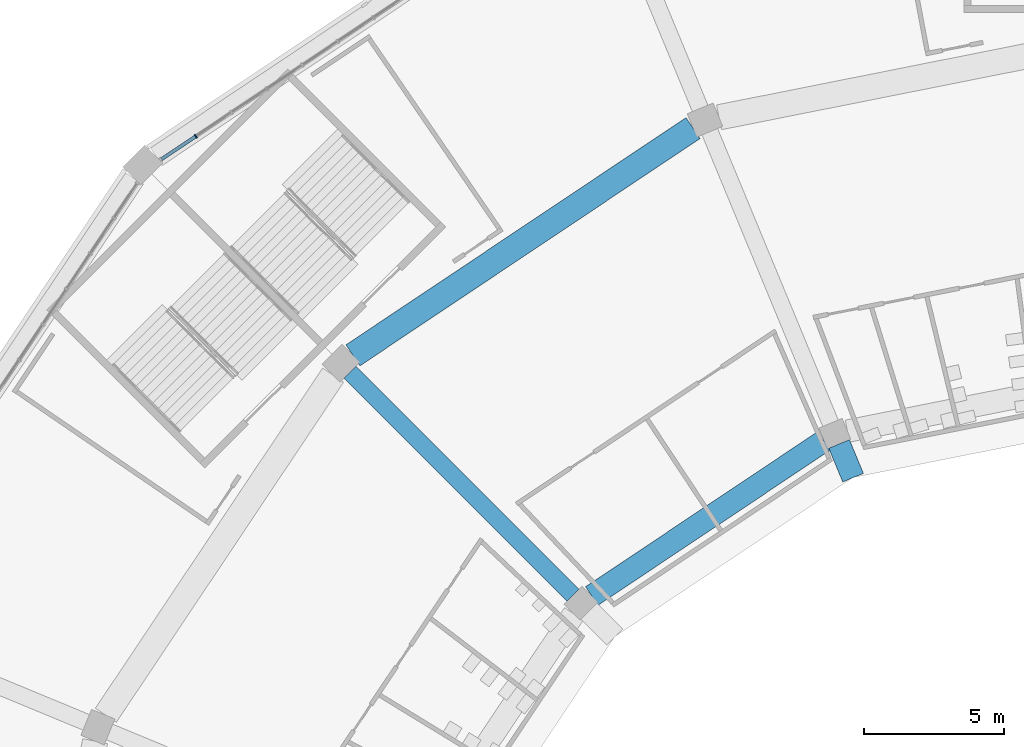
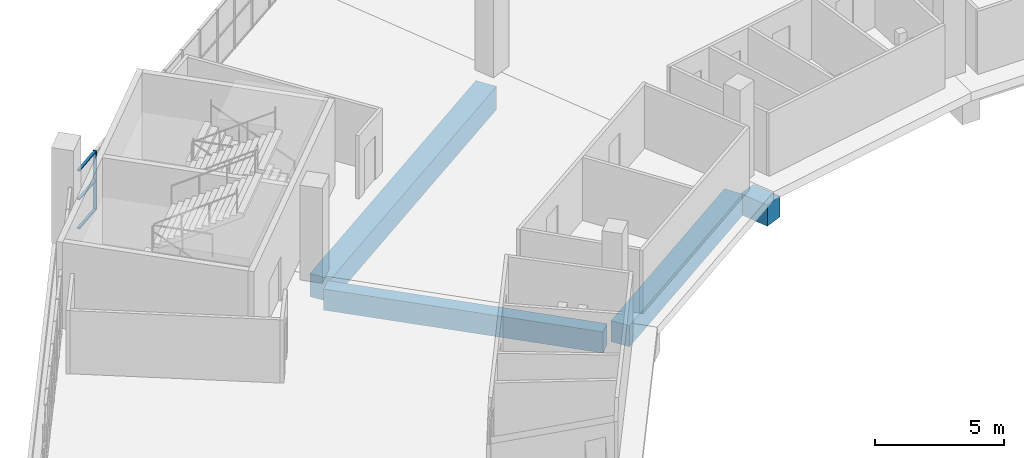
# One storey, part 40 of 199: 4 beams, 4 members, 1 element without a shape of its own.
"""IFC4 building model written with IfcOpenShell, lengths in metres."""

import ifcopenshell
import ifcopenshell.guid

model = None  # the IFC model being written
_history = None  # IfcOwnerHistory: only IFC2X3 demands one
_inside = {}  # id of a spatial element -> (the spatial element, [elements in it])
_under = {}  # id of a project, library or spatial element -> (it, [spatial elements below it])
_declared = {}  # id of a project -> (the project, [libraries it declares])
_typed = {}  # id of a type object -> (the type object, [elements of that type])
_made_of = {}  # id of a material, layer set ... -> (it, [elements and type objects made of it])


def new_model(schema):
    """Start an empty IFC model of exactly this schema.

    Asked for "IFC4X3", IfcOpenShell would pick the latest addendum, in which some entities
    have other attributes; the version numbers below select the first issue.
    IFC2X3 requires an IfcOwnerHistory on every rooted entity: one is made here for all.
    """
    global model, _history
    if schema == "IFC4X3":
        model = ifcopenshell.file(schema_version=(4, 3, 0, 0))
    else:
        model = ifcopenshell.file(schema=schema)
    _inside.clear()
    _under.clear()
    _declared.clear()
    _typed.clear()
    _made_of.clear()
    _history = None
    if model.schema == "IFC2X3":
        org = make("IfcOrganization", Name="unknown")
        user = make(
            "IfcPersonAndOrganization",
            ThePerson=make("IfcPerson", FamilyName="unknown"),
            TheOrganization=org,
        )
        app = make(
            "IfcApplication",
            ApplicationDeveloper=org,
            Version="unknown",
            ApplicationFullName="unknown",
            ApplicationIdentifier="unknown",
        )
        _history = make(
            "IfcOwnerHistory",
            OwningUser=user,
            OwningApplication=app,
            ChangeAction="ADDED",
            CreationDate=0,
        )
    return model


def make(cls, **values):
    """One entity of the class cls with the attributes given. An attribute that is None is left unset."""
    return model.create_entity(
        cls, **{name: value for name, value in values.items() if value is not None}
    )


def rooted(cls, **values):
    """An entity with a GlobalId (a new one), such as an element, a storey or a relation."""
    return make(cls, GlobalId=ifcopenshell.guid.new(), OwnerHistory=_history, **values)


def si_unit(unit_type, name, prefix=None):
    """IfcSIUnit, for example si_unit("LENGTHUNIT", "METRE", prefix="MILLI")."""
    return make("IfcSIUnit", UnitType=unit_type, Prefix=prefix, Name=name)


def assignment(units):
    """IfcUnitAssignment: the units of a project."""
    return None if units is None else make("IfcUnitAssignment", Units=units)


def point(xyz):
    """IfcCartesianPoint."""
    return None if xyz is None else make("IfcCartesianPoint", Coordinates=xyz)


def direction(xyz):
    """IfcDirection."""
    return None if xyz is None else make("IfcDirection", DirectionRatios=xyz)


def frame(location, z_axis=None, x_axis=None):
    """IfcAxis2Placement3D, a coordinate frame: its origin and axes. An axis left out is left unset."""
    return make(
        "IfcAxis2Placement3D",
        Location=point(location),
        Axis=direction(z_axis),
        RefDirection=direction(x_axis),
    )


def frame_2d(location, x_axis=None):
    """IfcAxis2Placement2D, a coordinate frame in the plane: its origin and x axis."""
    return make(
        "IfcAxis2Placement2D", Location=point(location), RefDirection=direction(x_axis)
    )


def origin():
    """The frame at (0, 0, 0) with its axes left unset."""
    return frame((0.0, 0.0, 0.0))


def origin_2d():
    """The frame at (0, 0) in the plane with its x axis left unset."""
    return frame_2d((0.0, 0.0))


def place(relative_to, where):
    """IfcLocalPlacement: puts the frame where relative to a parent placement (None: the world)."""
    return make(
        "IfcLocalPlacement", PlacementRelTo=relative_to, RelativePlacement=where
    )


def context(
    kind, dimensions, precision=None, world=None, true_north=None, identifier=None
):
    """IfcGeometricRepresentationContext, for example the 3D "Model" context."""
    return make(
        "IfcGeometricRepresentationContext",
        ContextIdentifier=identifier,
        ContextType=kind,
        CoordinateSpaceDimension=dimensions,
        Precision=precision,
        WorldCoordinateSystem=world,
        TrueNorth=true_north,
    )


def subcontext(parent, identifier, kind, view, scale=None):
    """IfcGeometricRepresentationSubContext, for example "Body" below "Model"."""
    return make(
        "IfcGeometricRepresentationSubContext",
        ContextIdentifier=identifier,
        ContextType=kind,
        ParentContext=parent,
        TargetScale=scale,
        TargetView=view,
    )


def project(units=None, contexts=None):
    """IfcProject with its units and contexts."""
    return rooted(
        "IfcProject",
        Name="project",
        RepresentationContexts=contexts,
        UnitsInContext=assignment(units),
    )


def spatial(cls, under=None, at=None, **own):
    """A site, building, storey or space (cls), placed at a placement, below another one or the project."""
    s = rooted(cls, ObjectPlacement=at, **own)
    if under is not None:
        _under.setdefault(under.id(), (under, []))[1].append(s)
    return s


def profile(cls, at=None, kind="AREA", **sizes):
    """A parametric profile (cls). Its sizes go by their IFC names, for example OverallWidth=200.0."""
    return make(cls, ProfileType=kind, Position=at, **sizes)


def rectangle(**sizes):
    """IfcRectangleProfileDef."""
    return profile("IfcRectangleProfileDef", **sizes)


def extrude(swept, where, along, depth):
    """IfcExtrudedAreaSolid: the profile swept, set in the frame where, extruded along a direction by depth."""
    return make(
        "IfcExtrudedAreaSolid",
        SweptArea=swept,
        Position=where,
        ExtrudedDirection=direction(along),
        Depth=depth,
    )


def shape(context_of_items, identifier, shape_type, items):
    """IfcShapeRepresentation: the items that make up one representation, for example the "Body"."""
    return make(
        "IfcShapeRepresentation",
        ContextOfItems=context_of_items,
        RepresentationIdentifier=identifier,
        RepresentationType=shape_type,
        Items=items,
    )


def material(Name=None, Category=None):
    """IfcMaterial."""
    return make("IfcMaterial", Name=Name, Category=Category)


def material_profile(
    of_material, cross_section, Name=None, Category=None, Priority=None
):
    """IfcMaterialProfile: a cross section and its material."""
    return make(
        "IfcMaterialProfile",
        Name=Name,
        Material=of_material,
        Profile=cross_section,
        Priority=Priority,
        Category=Category,
    )


def profile_set(profiles, Name=None, composite=None):
    """IfcMaterialProfileSet."""
    return make(
        "IfcMaterialProfileSet",
        Name=Name,
        MaterialProfiles=profiles,
        CompositeProfile=composite,
    )


def made_of(thing, what):
    """Note that an element or type object is made of a material, layer set ...; save() writes the relation."""
    if what is not None:
        _made_of.setdefault(what.id(), (what, []))[1].append(thing)
    return thing


def type_object(cls, material=None, **own):
    """A type object (cls), such as IfcWallType, which elements share."""
    return made_of(rooted(cls, **own), material)


def element(
    cls,
    number,
    at=None,
    inside=None,
    cuts=None,
    type_object=None,
    material=None,
    context=None,
    identifier="Body",
    shape_type=None,
    held_by="IfcProductDefinitionShape",
    body=None,
    shapes=None,
    **own,
):
    """One element of the class cls, such as IfcWall. Its Tag is "e" and its number.

    at: its placement. inside: the storey or other place that contains it. cuts: it is an
    opening in that element (IfcRelVoidsElement). A single representation is given by context,
    identifier, shape_type and body (its items); several are given by shapes. held_by: the class
    of the entity that holds the representations. save() writes the other relations.
    """
    e = rooted(cls, Tag="e%d" % number, ObjectPlacement=at, **own)
    if body is not None:
        shapes = [shape(context, identifier, shape_type, body)]
    if shapes is not None:
        e.Representation = make(held_by, Representations=shapes)
    if inside is not None:
        _inside.setdefault(inside.id(), (inside, []))[1].append(e)
    if cuts is not None:
        rooted(
            "IfcRelVoidsElement", RelatingBuildingElement=cuts, RelatedOpeningElement=e
        )
    if type_object is not None:
        _typed.setdefault(type_object.id(), (type_object, []))[1].append(e)
    return made_of(e, material)


def aggregate(whole, parts):
    """IfcRelAggregates: a whole, such as a stair, and the parts it consists of."""
    return rooted("IfcRelAggregates", RelatingObject=whole, RelatedObjects=parts)


def save(model, path):
    """Write the relations noted so far, then the file.

    IfcRelAggregates (storeys below a building ...), IfcRelContainedInSpatialStructure (elements
    in a storey), IfcRelDefinesByType, IfcRelAssociatesMaterial and IfcRelDeclares: one each for
    every whole, place, type object, material and project.
    """
    for whole, parts in _under.values():
        aggregate(whole, parts)
    for where, things in _inside.values():
        rooted(
            "IfcRelContainedInSpatialStructure",
            RelatedElements=things,
            RelatingStructure=where,
        )
    for kind, things in _typed.values():
        rooted("IfcRelDefinesByType", RelatedObjects=things, RelatingType=kind)
    for what, things in _made_of.values():
        rooted("IfcRelAssociatesMaterial", RelatedObjects=things, RelatingMaterial=what)
    for by, libraries in _declared.values():
        rooted("IfcRelDeclares", RelatingContext=by, RelatedDefinitions=libraries)
    model.write(path)


model = new_model("IFC4")

# Units and contexts
model_context = context("Model", 3, precision=1e-05, world=origin(), true_north=direction((0.0, 1.0)))
body_context = subcontext(model_context, "Body", "Model", "MODEL_VIEW")
ifc_project = project(units=[si_unit("LENGTHUNIT", "METRE"), si_unit("AREAUNIT", "SQUARE_METRE"), si_unit("VOLUMEUNIT", "CUBIC_METRE"), si_unit("PLANEANGLEUNIT", "RADIAN"), si_unit("MASSUNIT", "GRAM", prefix="KILO")], contexts=[model_context])

# Site, building, storey
site_placement = place(None, origin())
site = spatial("IfcSite", under=ifc_project, at=site_placement, CompositionType="ELEMENT")
building_placement = place(site_placement, origin())
building = spatial("IfcBuilding", under=site, at=building_placement, Name="Ogive Plaza Stadium", CompositionType="ELEMENT")
storey_placement = place(building_placement, frame((0.0, 0.0, 4.5)))
storey = spatial("IfcBuildingStorey", under=building, at=storey_placement, Name="L01", CompositionType="ELEMENT", Elevation=4.5)

# Curtain wall, members
ifc_material_1 = material(Name="Bronze-anodised aluminium with laminated glass", Category="aluminium")
curtain_wall_type = type_object("IfcCurtainWallType", Name="Lancet curtain wall", PredefinedType="NOTDEFINED", material=ifc_material_1)
curtain_wall_placement = place(storey_placement, origin())
curtain_wall = element("IfcCurtainWall", 1, at=curtain_wall_placement, inside=storey, type_object=curtain_wall_type, Name="CURTAIN WALL B30 L01", PredefinedType="NOTDEFINED")
ifc_material_2 = material(Name="Bronze-anodised aluminium", Category="aluminium")
ifc_material_profile_1 = material_profile(ifc_material_2, rectangle(XDim=0.14990234375, YDim=0.050048828125, at=origin_2d()), Name="AL 150x50")
ifc_profile_set_1 = profile_set([ifc_material_profile_1], Name="Bronze-anodised aluminium")
member_type_1 = type_object("IfcMemberType", Name="Curtain wall mullion 50x150", PredefinedType="MULLION", material=ifc_profile_set_1)
member_1_placement = place(storey_placement, frame((-67.462646484375, 88.879638671875, 0.0), z_axis=(0.0, 0.0, 1.0), x_axis=(-0.55557023302, 0.831469612303, 0.0)))
member_1 = element("IfcMember", 2, at=member_1_placement, type_object=member_type_1, Name="CW-B30-L01 mullion 2", PredefinedType="MULLION", context=body_context, shape_type="SweptSolid", body=[
    extrude(rectangle(XDim=0.14990234375, YDim=0.050048828125, at=origin_2d()), origin(), (0.0, 0.0, 1.0), 2.7900390625),
])
ifc_material_3 = material(Name="Bronze-anodised aluminium", Category="aluminium")
ifc_material_profile_2 = material_profile(ifc_material_3, rectangle(XDim=0.1201171875, YDim=0.050048828125, at=origin_2d()), Name="AL 120x50")
ifc_profile_set_2 = profile_set([ifc_material_profile_2], Name="Bronze-anodised aluminium")
member_type_2 = type_object("IfcMemberType", Name="Curtain wall transom 50x120", PredefinedType="USERDEFINED", material=ifc_profile_set_2)
member_2_placement = place(storey_placement, frame((-68.686767578125, 88.0615234375, 0.02490234375), z_axis=(0.831426948977, 0.555634077892, 0.0), x_axis=(-0.555634077892, 0.831426948977, 0.0)))
member_2 = element("IfcMember", 3, at=member_2_placement, type_object=member_type_2, Name="CW-B30-L01 transom 1.1", ObjectType="TRANSOM", PredefinedType="USERDEFINED", context=body_context, shape_type="SweptSolid", body=[
    extrude(rectangle(XDim=0.1201171875, YDim=0.050048828125, at=origin_2d()), origin(), (0.0, 0.0, 1.0), 1.447265625),
])
member_3_placement = place(storey_placement, frame((-68.686767578125, 88.0615234375, 1.39501953125), z_axis=(0.831426948977, 0.555634077892, 0.0), x_axis=(-0.555634077892, 0.831426948977, 0.0)))
member_3 = element("IfcMember", 4, at=member_3_placement, type_object=member_type_2, Name="CW-B30-L01 transom 1.2", ObjectType="TRANSOM", PredefinedType="USERDEFINED", context=body_context, shape_type="SweptSolid", body=[
    extrude(rectangle(XDim=0.1201171875, YDim=0.050048828125, at=origin_2d()), origin(), (0.0, 0.0, 1.0), 1.447265625),
])
member_4_placement = place(storey_placement, frame((-68.686767578125, 88.0615234375, 2.764892578125), z_axis=(0.831426948977, 0.555634077892, 0.0), x_axis=(-0.555634077892, 0.831426948977, 0.0)))
member_4 = element("IfcMember", 5, at=member_4_placement, type_object=member_type_2, Name="CW-B30-L01 transom 1.3", ObjectType="TRANSOM", PredefinedType="USERDEFINED", context=body_context, shape_type="SweptSolid", body=[
    extrude(rectangle(XDim=0.1201171875, YDim=0.050048828125, at=origin_2d()), origin(), (0.0, 0.0, 1.0), 1.447265625),
])
aggregate(curtain_wall, [member_1, member_2, member_3, member_4])

# Beams
ifc_material_4 = material(Name="Concrete C40/50", Category="concrete")
ifc_material_profile_3 = material_profile(ifc_material_4, rectangle(XDim=0.60009765625, YDim=1.0, at=origin_2d()), Name="RC 600x1000")
ifc_profile_set_3 = profile_set([ifc_material_profile_3], Name="Concrete C40/50")
beam_type_1 = type_object("IfcBeamType", Name="RC radial beam 600x1000", PredefinedType="BEAM", material=ifc_profile_set_3)
beam_1_placement = place(storey_placement, frame((-54.01123046875, 72.51123046875, -0.909912109375), z_axis=(-0.707106781187, 0.707106781187, 0.0), x_axis=(-0.707106781187, -0.707106781187, 0.0)))
element("IfcBeam", 6, at=beam_1_placement, inside=storey, type_object=beam_type_1, Name="Radial beam L01 R30 F3F4", PredefinedType="BEAM", context=body_context, shape_type="SweptSolid", body=[
    extrude(rectangle(XDim=0.60009765625, YDim=1.0, at=origin_2d()), origin(), (0.0, 0.0, 1.0), 11.249755859375),
])
ifc_material_5 = material(Name="Concrete C40/50", Category="concrete")
ifc_material_profile_4 = material_profile(ifc_material_5, rectangle(XDim=0.800048828125, YDim=1.0, at=origin_2d()), Name="RC 800x1000")
ifc_profile_set_4 = profile_set([ifc_material_profile_4], Name="Concrete C40/50")
beam_type_2 = type_object("IfcBeamType", Name="RC radial beam 800x1000", PredefinedType="BEAM", material=ifc_profile_set_4)
beam_2_placement = place(storey_placement, frame((-44.0263671875, 76.70556640625, -0.909912109375), z_axis=(-0.382534239946, 0.923941315923, 0.0), x_axis=(-0.923941315923, -0.382534239946, 0.0)))
element("IfcBeam", 7, at=beam_2_placement, inside=storey, type_object=beam_type_2, Name="Raker tail beam LT R31", PredefinedType="BEAM", context=body_context, shape_type="SweptSolid", body=[
    extrude(rectangle(XDim=0.800048828125, YDim=1.0, at=origin_2d()), origin(), (0.0, 0.0, 1.0), 1.300048828125),
])
ifc_material_6 = material(Name="Concrete C40/50", Category="concrete")
ifc_material_profile_5 = material_profile(ifc_material_6, rectangle(XDim=0.800048828125, YDim=1.0, at=origin_2d()), Name="RC 800x1000")
ifc_profile_set_5 = profile_set([ifc_material_profile_5], Name="Concrete C40/50")
beam_type_3 = type_object("IfcBeamType", Name="RC ring beam 800x1000", PredefinedType="BEAM", material=ifc_profile_set_5)
beam_3_placement = place(storey_placement, frame((-53.3466796875, 72.483154296875, -0.909912109375), z_axis=(0.831469573595, 0.555570290949, 0.0), x_axis=(-0.555570290949, 0.831469573595, 0.0)))
element("IfcBeam", 8, at=beam_3_placement, inside=storey, type_object=beam_type_3, Name="Ring beam F3 L01 B30", PredefinedType="BEAM", context=body_context, shape_type="SweptSolid", body=[
    extrude(rectangle(XDim=0.800048828125, YDim=1.0, at=origin_2d()), origin(), (0.0, 0.0, 1.0), 9.96826171875),
])
ifc_material_7 = material(Name="Concrete C40/50", Category="concrete")
ifc_material_profile_6 = material_profile(ifc_material_7, rectangle(XDim=0.89990234375, YDim=1.10009765625, at=origin_2d()), Name="RC 900x1100")
ifc_profile_set_6 = profile_set([ifc_material_profile_6], Name="Concrete C40/50")
beam_type_4 = type_object("IfcBeamType", Name="RC ring beam 900x1100", PredefinedType="BEAM", material=ifc_profile_set_6)
beam_4_placement = place(storey_placement, frame((-61.8603515625, 81.0673828125, -0.9599609375), z_axis=(0.831467933961, 0.555572744827, 0.0), x_axis=(-0.555572744827, 0.831467933961, 0.0)))
element("IfcBeam", 9, at=beam_4_placement, inside=storey, type_object=beam_type_4, Name="Ring beam F4 L01 B30", PredefinedType="BEAM", context=body_context, shape_type="SweptSolid", body=[
    extrude(rectangle(XDim=0.89990234375, YDim=1.10009765625, at=origin_2d()), origin(), (0.0, 0.0, 1.0), 14.587646484375),
])

save(model, "model.ifc")
